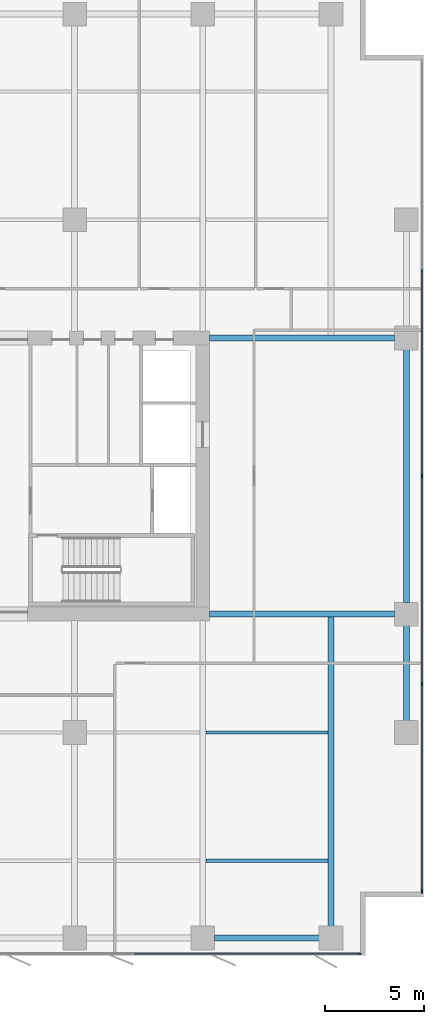
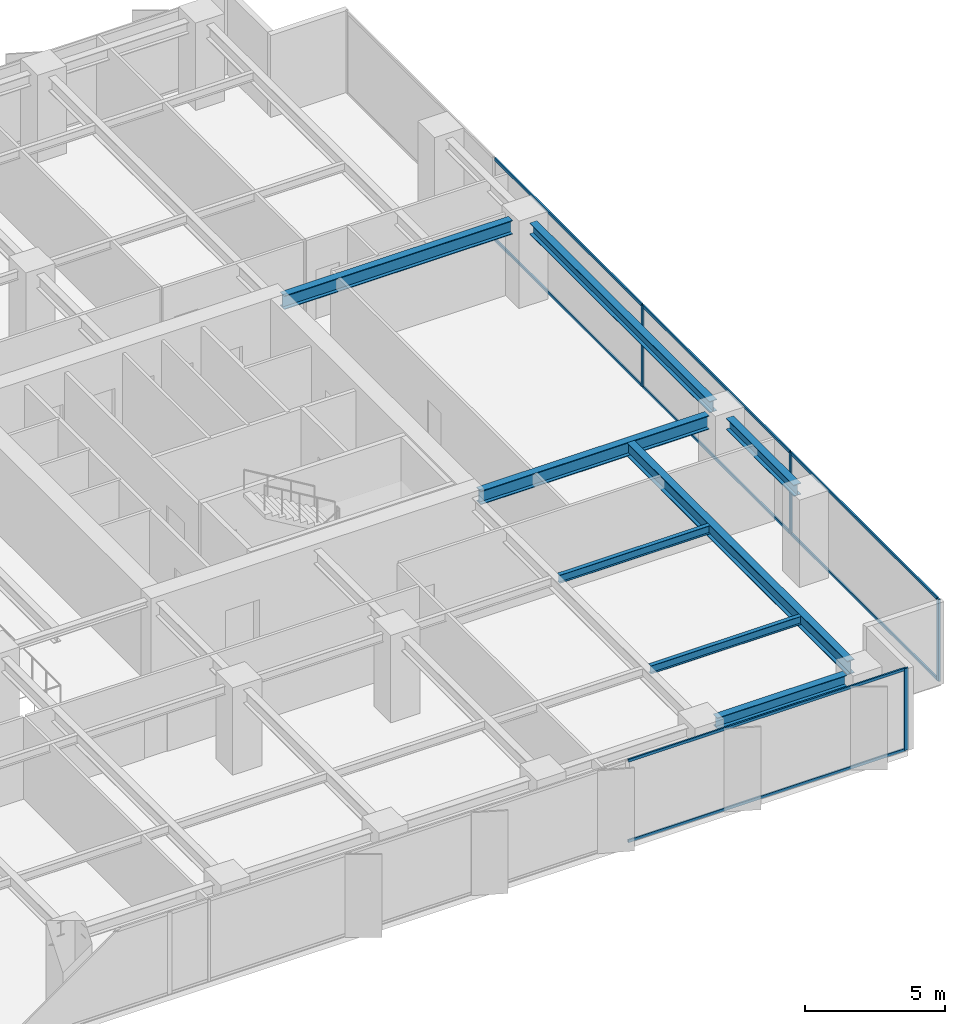
# One storey, part 10 of 20: 12 members, 8 beams, 2 elements without a shape of their own.
"""IFC4 building model written with IfcOpenShell, lengths in metres."""

from ifc_helpers import new_model, si_unit, direction, frame, origin, origin_2d, place, context, subcontext, project, spatial, rectangle, i_section, extrude, material, layer, layer_set, material_profile, profile_set, type_object, element, aggregate, save


model = new_model("IFC4")

# Units and contexts
model_context = context("Model", 3, precision=1e-05, world=origin(), true_north=direction((0.0, 1.0)))
body_context = subcontext(model_context, "Body", "Model", "MODEL_VIEW")
ifc_project = project(units=[si_unit("LENGTHUNIT", "METRE"), si_unit("AREAUNIT", "SQUARE_METRE"), si_unit("VOLUMEUNIT", "CUBIC_METRE"), si_unit("PLANEANGLEUNIT", "RADIAN"), si_unit("MASSUNIT", "GRAM", prefix="KILO")], contexts=[model_context])

# Site, building, storey
site_placement = place(None, origin())
site = spatial("IfcSite", under=ifc_project, at=site_placement, CompositionType="ELEMENT")
building_placement = place(site_placement, origin())
building = spatial("IfcBuilding", under=site, at=building_placement, Name="Putna Gate Headquarters", CompositionType="ELEMENT")
storey_placement = place(building_placement, frame((0.0, 0.0, 105.0)))
storey = spatial("IfcBuildingStorey", under=building, at=storey_placement, Name="L25", CompositionType="ELEMENT", Elevation=105.0)

# Beams
ifc_material_1 = material(Name="Steel S355J2", Category="steel")
ifc_material_profile_1 = material_profile(ifc_material_1, i_section(OverallWidth=0.300048828125, OverallDepth=0.60009765625, WebThickness=0.015380859375, FlangeThickness=0.030029296875, at=origin_2d()), Name="Steel S355J2")
ifc_profile_set_1 = profile_set([ifc_material_profile_1], Name="Steel S355J2")
beam_type_1 = type_object("IfcBeamType", Name="BM-GIRD-Z2-HEB600", PredefinedType="USERDEFINED", material=ifc_profile_set_1)
for number, where, z_axis, x_axis, name in (
    (1, (65.3349609375, 19.0, 3.264892578125), (1.0, 0.0, 0.0), (0.0, 1.0, 0.0), "L25 East Wing Girder Y19"),
    (2, (65.3349609375, 33.0, 3.264892578125), (1.0, 0.0, 0.0), (0.0, 1.0, 0.0), "L25 East Wing Girder Y33"),
):
    element("IfcBeam", number, at=place(storey_placement, frame(where, z_axis=z_axis, x_axis=x_axis)), inside=storey, type_object=beam_type_1, Name=name, ObjectType="GIRDER", PredefinedType="USERDEFINED", context=body_context, shape_type="SweptSolid", body=[
        extrude(i_section(OverallWidth=0.300048828125, OverallDepth=0.60009765625, WebThickness=0.015380859375, FlangeThickness=0.030029296875, at=origin_2d()), origin(), (0.0, 0.0, 1.0), 9.39697265625),
    ])
beam_1_placement = place(storey_placement, frame((71.5, 3.16796875, 3.264892578125), z_axis=(0.0, 1.0, 0.0), x_axis=(-1.0, 0.0, 0.0)))
element("IfcBeam", 3, at=beam_1_placement, inside=storey, type_object=beam_type_1, Name="L25 South Primary Girder X71", ObjectType="GIRDER", PredefinedType="USERDEFINED", context=body_context, shape_type="SweptSolid", body=[
    extrude(i_section(OverallWidth=0.300048828125, OverallDepth=0.60009765625, WebThickness=0.015380859375, FlangeThickness=0.030029296875, at=origin_2d()), origin(), (0.0, 0.0, 1.0), 15.820068359375),
])
ifc_material_profile_2 = material_profile(ifc_material_1, i_section(OverallWidth=0.169921875, OverallDepth=0.360107421875, WebThickness=0.008056640625, FlangeThickness=0.0126953125, at=origin_2d()), Name="Steel S355J2")
ifc_profile_set_2 = profile_set([ifc_material_profile_2], Name="Steel S355J2")
beam_type_2 = type_object("IfcBeamType", Name="BM-SEC-Z2-IPE360", PredefinedType="BEAM", material=ifc_profile_set_2)
for number, where, z_axis, x_axis, name in (
    (4, (65.154052734375, 6.5, 3.385009765625), (1.0, 0.0, 0.0), (0.0, 1.0, 0.0), "L25 South Secondary Beam 10"),
    (5, (65.154052734375, 13.0, 3.385009765625), (1.0, 0.0, 0.0), (0.0, 1.0, 0.0), "L25 South Secondary Beam 10"),
):
    element("IfcBeam", number, at=place(storey_placement, frame(where, z_axis=z_axis, x_axis=x_axis)), inside=storey, type_object=beam_type_2, Name=name, PredefinedType="BEAM", context=body_context, shape_type="SweptSolid", body=[
        extrude(i_section(OverallWidth=0.169921875, OverallDepth=0.360107421875, WebThickness=0.008056640625, FlangeThickness=0.0126953125, at=origin_2d()), origin(), (0.0, 0.0, 1.0), 6.19189453125),
    ])
ifc_material_profile_3 = material_profile(ifc_material_1, i_section(OverallWidth=0.300048828125, OverallDepth=0.489990234375, WebThickness=0.011962890625, FlangeThickness=0.02294921875, at=origin_2d()), Name="Steel S355J2")
ifc_profile_set_3 = profile_set([ifc_material_profile_3], Name="Steel S355J2")
beam_type_3 = type_object("IfcBeamType", Name="BM-SPAN-Z2-HEA500", PredefinedType="SPANDREL", material=ifc_profile_set_3)
beam_2_placement = place(storey_placement, frame((65.587890625, 2.580078125, 3.320068359375), z_axis=(1.0, 0.0, 0.0), x_axis=(0.0, 1.0, 0.0)))
element("IfcBeam", 6, at=beam_2_placement, inside=storey, type_object=beam_type_3, Name="L25 S Perimeter Spandrel 10", PredefinedType="SPANDREL", context=body_context, shape_type="SweptSolid", body=[
    extrude(i_section(OverallWidth=0.300048828125, OverallDepth=0.489990234375, WebThickness=0.011962890625, FlangeThickness=0.02294921875, at=origin_2d()), origin(), (0.0, 0.0, 1.0), 5.32421875),
])
beam_3_placement = place(storey_placement, frame((75.320068359375, 13.587890625, 3.320068359375), z_axis=(0.0, 1.0, 0.0), x_axis=(-1.0, 0.0, 0.0)))
element("IfcBeam", 7, at=beam_3_placement, inside=storey, type_object=beam_type_3, Name="L25 E End Spandrel 1", PredefinedType="SPANDREL", context=body_context, shape_type="SweptSolid", body=[
    extrude(i_section(OverallWidth=0.300048828125, OverallDepth=0.489990234375, WebThickness=0.011962890625, FlangeThickness=0.02294921875, at=origin_2d()), origin(), (0.0, 0.0, 1.0), 4.82421875),
])
beam_4_placement = place(storey_placement, frame((75.320068359375, 19.587890625, 3.320068359375), z_axis=(0.0, 1.0, 0.0), x_axis=(-1.0, 0.0, 0.0)))
element("IfcBeam", 8, at=beam_4_placement, inside=storey, type_object=beam_type_3, Name="L25 E End Spandrel 2", PredefinedType="SPANDREL", context=body_context, shape_type="SweptSolid", body=[
    extrude(i_section(OverallWidth=0.300048828125, OverallDepth=0.489990234375, WebThickness=0.011962890625, FlangeThickness=0.02294921875, at=origin_2d()), origin(), (0.0, 0.0, 1.0), 12.82421875),
])

# Curtain wall, member
ifc_material_2 = material(Name="Anodised bronze aluminium curtain wall", Category="aluminium")
ifc_layer = layer(ifc_material_2, 0.159912109375)
ifc_layer_set = layer_set([ifc_layer], Name="Anodised bronze aluminium curtain wall")
curtain_wall_type = type_object("IfcCurtainWallType", Name="CW-SYS-Z2", PredefinedType="USERDEFINED", material=ifc_layer_set)
curtain_wall_1_placement = place(storey_placement, origin())
curtain_wall_1 = element("IfcCurtainWall", 9, at=curtain_wall_1_placement, inside=storey, type_object=curtain_wall_type, Name="L25 South East Curtain Wall", ObjectType="STICK CURTAIN WALL", PredefinedType="USERDEFINED")
ifc_material_3 = material(Name="Anodised bronze aluminium EN AW-6060", Category="aluminium")
ifc_material_profile_4 = material_profile(ifc_material_3, rectangle(XDim=0.06494140625, YDim=0.159912109375, at=origin_2d()), Name="Anodised bronze aluminium EN AW-6060")
ifc_profile_set_4 = profile_set([ifc_material_profile_4], Name="Anodised bronze aluminium EN AW-6060")
member_type_1 = type_object("IfcMemberType", Name="MULL-CWM-2", PredefinedType="MULLION", material=ifc_profile_set_4)
member_1_placement = place(storey_placement, frame((72.967529296875, 1.780029296875, 0.0), z_axis=(0.0, 0.0, 1.0), x_axis=(0.0, 1.0, 0.0)))
member_1 = element("IfcMember", 10, at=member_1_placement, type_object=member_type_1, Name="CWS-2 mullion 3", PredefinedType="MULLION", context=body_context, shape_type="SweptSolid", body=[
    extrude(rectangle(XDim=0.06494140625, YDim=0.159912109375, at=origin_2d()), origin(), (0.0, 0.0, 1.0), 3.56494140625),
])

# Curtain wall, members
curtain_wall_2_placement = place(storey_placement, origin())
curtain_wall_2 = element("IfcCurtainWall", 11, at=curtain_wall_2_placement, inside=storey, type_object=curtain_wall_type, Name="L25 East Curtain Wall", ObjectType="STICK CURTAIN WALL", PredefinedType="USERDEFINED")
member_2_placement = place(storey_placement, frame((76.1201171875, 4.9326171875, 0.0), z_axis=(0.0, 0.0, 1.0), x_axis=(-1.0, 0.0, 0.0)))
member_2 = element("IfcMember", 12, at=member_2_placement, type_object=member_type_1, Name="CWS-2 mullion 1", PredefinedType="MULLION", context=body_context, shape_type="SweptSolid", body=[
    extrude(rectangle(XDim=0.06494140625, YDim=0.159912109375, at=origin_2d()), origin(), (0.0, 0.0, 1.0), 3.56494140625),
])
member_3_placement = place(storey_placement, frame((76.1201171875, 15.449951171875, 0.0), z_axis=(0.0, 0.0, 1.0), x_axis=(-1.0, 0.0, 0.0)))
member_3 = element("IfcMember", 13, at=member_3_placement, type_object=member_type_1, Name="CWS-2 mullion 2", PredefinedType="MULLION", context=body_context, shape_type="SweptSolid", body=[
    extrude(rectangle(XDim=0.06494140625, YDim=0.159912109375, at=origin_2d()), origin(), (0.0, 0.0, 1.0), 3.56494140625),
])
member_4_placement = place(storey_placement, frame((76.1201171875, 26.0, 0.0), z_axis=(0.0, 0.0, 1.0), x_axis=(-1.0, 0.0, 0.0)))
member_4 = element("IfcMember", 14, at=member_4_placement, type_object=member_type_1, Name="CWS-2 mullion 3", PredefinedType="MULLION", context=body_context, shape_type="SweptSolid", body=[
    extrude(rectangle(XDim=0.06494140625, YDim=0.159912109375, at=origin_2d()), origin(), (0.0, 0.0, 1.0), 3.56494140625),
])

# Member
ifc_material_profile_5 = material_profile(ifc_material_3, rectangle(XDim=0.06494140625, YDim=0.1201171875, at=origin_2d()), Name="Anodised bronze aluminium EN AW-6060")
ifc_profile_set_5 = profile_set([ifc_material_profile_5], Name="Anodised bronze aluminium EN AW-6060")
member_type_2 = type_object("IfcMemberType", Name="TRAN-CWT-2", PredefinedType="USERDEFINED", material=ifc_profile_set_5)
member_5_placement = place(storey_placement, frame((61.532470703125, 1.780029296875, 0.032470703125), z_axis=(1.0, 0.0, 0.0), x_axis=(0.0, 1.0, 0.0)))
member_5 = element("IfcMember", 15, at=member_5_placement, type_object=member_type_2, Name="CWS-2 transom 2.1", ObjectType="TRANSOM", PredefinedType="USERDEFINED", context=body_context, shape_type="SweptSolid", body=[
    extrude(rectangle(XDim=0.06494140625, YDim=0.1201171875, at=origin_2d()), origin(), (0.0, 0.0, 1.0), 11.402587890625),
])

member_6_placement = place(storey_placement, frame((61.532470703125, 1.780029296875, 3.532470703125), z_axis=(1.0, 0.0, 0.0), x_axis=(0.0, 1.0, 0.0)))
member_6 = element("IfcMember", 16, at=member_6_placement, type_object=member_type_2, Name="CWS-2 transom 2.2", ObjectType="TRANSOM", PredefinedType="USERDEFINED", context=body_context, shape_type="SweptSolid", body=[
    extrude(rectangle(XDim=0.06494140625, YDim=0.1201171875, at=origin_2d()), origin(), (0.0, 0.0, 1.0), 11.402587890625),
])

aggregate(curtain_wall_1, [member_1, member_5, member_6])

member_7_placement = place(storey_placement, frame((76.1201171875, 4.965087890625, 0.032470703125), z_axis=(0.0, 1.0, 0.0), x_axis=(-1.0, 0.0, 0.0)))
member_7 = element("IfcMember", 17, at=member_7_placement, type_object=member_type_2, Name="CWS-2 transom 1.1", ObjectType="TRANSOM", PredefinedType="USERDEFINED", context=body_context, shape_type="SweptSolid", body=[
    extrude(rectangle(XDim=0.06494140625, YDim=0.1201171875, at=origin_2d()), origin(), (0.0, 0.0, 1.0), 10.452392578125),
])

member_8_placement = place(storey_placement, frame((76.1201171875, 4.965087890625, 3.532470703125), z_axis=(0.0, 1.0, 0.0), x_axis=(-1.0, 0.0, 0.0)))
member_8 = element("IfcMember", 18, at=member_8_placement, type_object=member_type_2, Name="CWS-2 transom 1.2", ObjectType="TRANSOM", PredefinedType="USERDEFINED", context=body_context, shape_type="SweptSolid", body=[
    extrude(rectangle(XDim=0.06494140625, YDim=0.1201171875, at=origin_2d()), origin(), (0.0, 0.0, 1.0), 10.452392578125),
])

member_9_placement = place(storey_placement, frame((76.1201171875, 15.482421875, 0.032470703125), z_axis=(0.0, 1.0, 0.0), x_axis=(-1.0, 0.0, 0.0)))
member_9 = element("IfcMember", 19, at=member_9_placement, type_object=member_type_2, Name="CWS-2 transom 2.1", ObjectType="TRANSOM", PredefinedType="USERDEFINED", context=body_context, shape_type="SweptSolid", body=[
    extrude(rectangle(XDim=0.06494140625, YDim=0.1201171875, at=origin_2d()), origin(), (0.0, 0.0, 1.0), 10.485107421875),
])

member_10_placement = place(storey_placement, frame((76.1201171875, 15.482421875, 3.532470703125), z_axis=(0.0, 1.0, 0.0), x_axis=(-1.0, 0.0, 0.0)))
member_10 = element("IfcMember", 20, at=member_10_placement, type_object=member_type_2, Name="CWS-2 transom 2.2", ObjectType="TRANSOM", PredefinedType="USERDEFINED", context=body_context, shape_type="SweptSolid", body=[
    extrude(rectangle(XDim=0.06494140625, YDim=0.1201171875, at=origin_2d()), origin(), (0.0, 0.0, 1.0), 10.485107421875),
])

member_11_placement = place(storey_placement, frame((76.1201171875, 26.032470703125, 0.032470703125), z_axis=(0.0, 1.0, 0.0), x_axis=(-1.0, 0.0, 0.0)))
member_11 = element("IfcMember", 21, at=member_11_placement, type_object=member_type_2, Name="CWS-2 transom 3.1", ObjectType="TRANSOM", PredefinedType="USERDEFINED", context=body_context, shape_type="SweptSolid", body=[
    extrude(rectangle(XDim=0.06494140625, YDim=0.1201171875, at=origin_2d()), origin(), (0.0, 0.0, 1.0), 10.485107421875),
])

member_12_placement = place(storey_placement, frame((76.1201171875, 26.032470703125, 3.532470703125), z_axis=(0.0, 1.0, 0.0), x_axis=(-1.0, 0.0, 0.0)))
member_12 = element("IfcMember", 22, at=member_12_placement, type_object=member_type_2, Name="CWS-2 transom 3.2", ObjectType="TRANSOM", PredefinedType="USERDEFINED", context=body_context, shape_type="SweptSolid", body=[
    extrude(rectangle(XDim=0.06494140625, YDim=0.1201171875, at=origin_2d()), origin(), (0.0, 0.0, 1.0), 10.485107421875),
])

aggregate(curtain_wall_2, [member_2, member_3, member_4, member_7, member_8, member_9, member_10, member_11, member_12])

save(model, "model.ifc")
